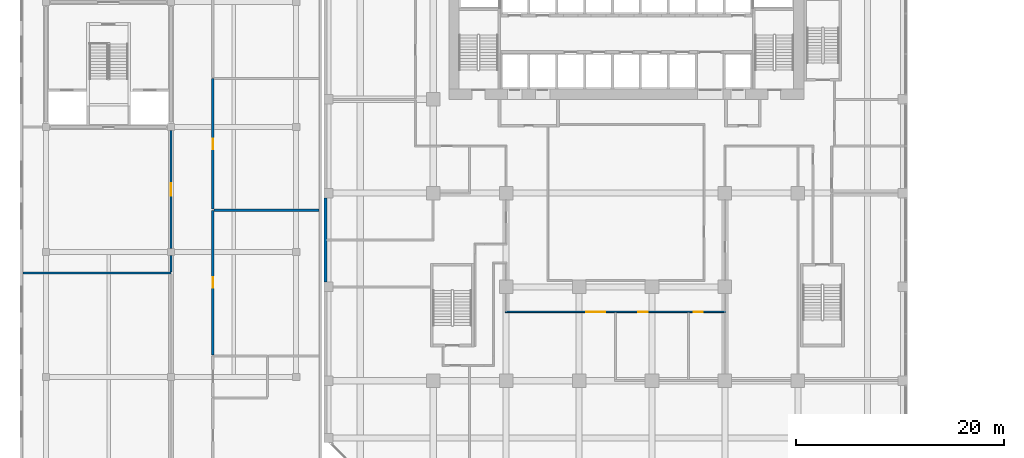
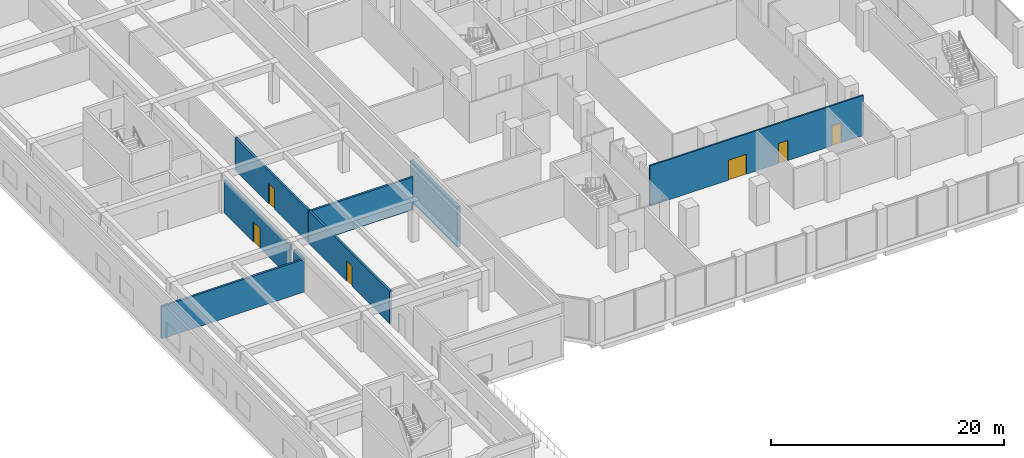
# One storey, part 14 of 35: 8 walls, 6 doors, 6 openings.
"""IFC4 building model written with IfcOpenShell, lengths in metres."""

from ifc_helpers import new_model, si_unit, direction, frame, frame_2d, origin, place, context, subcontext, project, spatial, rectangle, extrude, source, transform, mapped, material, layer, layer_set, type_object, element, fill, save


model = new_model("IFC4")

# Units and contexts
model_context = context("Model", 3, precision=1e-05, world=origin(), true_north=direction((0.0, 1.0)))
body_context = subcontext(model_context, "Body", "Model", "MODEL_VIEW")
ifc_project = project(units=[si_unit("LENGTHUNIT", "METRE"), si_unit("AREAUNIT", "SQUARE_METRE"), si_unit("VOLUMEUNIT", "CUBIC_METRE"), si_unit("PLANEANGLEUNIT", "RADIAN"), si_unit("MASSUNIT", "GRAM", prefix="KILO")], contexts=[model_context])

# Site, building, storey
site_placement = place(None, origin())
site = spatial("IfcSite", under=ifc_project, at=site_placement, CompositionType="ELEMENT")
building_placement = place(site_placement, origin())
building = spatial("IfcBuilding", under=site, at=building_placement, Name="Kilnfold Tower and Market Hall", CompositionType="ELEMENT")
storey_placement = place(building_placement, frame((0.0, 0.0, 22.5)))
storey = spatial("IfcBuildingStorey", under=building, at=storey_placement, Name="L04", CompositionType="ELEMENT", Elevation=22.5)

# Wall, openings, doors
ifc_material_1 = material(Name="Gypsum board on steel studs", Category="steel")
ifc_layer_1 = layer(ifc_material_1, 0.14990234375)
ifc_layer_set_1 = layer_set([ifc_layer_1], Name="Gypsum board on steel studs")
wall_type_1 = type_object("IfcWallType", Name="WALL CORRIDOR 150", PredefinedType="PARTITIONING", material=ifc_layer_set_1)
wall_1_placement = place(storey_placement, frame((-10.574951171875, -12.39990234375, 0.0), z_axis=(0.0, 0.0, 1.0), x_axis=(1.0, 0.0, 0.0)))
wall_1 = element("IfcWall", 1, at=wall_1_placement, inside=storey, type_object=wall_type_1, Name="Partition LY05.9", PredefinedType="PARTITIONING", context=body_context, shape_type="SweptSolid", body=[
    extrude(rectangle(XDim=21.175048828125, YDim=0.14990234375, at=frame_2d((10.58740234375, 0.0))), origin(), (0.0, 0.0, 1.0), 4.219970703125),
])
opening_1_placement = place(wall_1_placement, frame((7.777099609375, 0.0, 0.0)))
opening_1 = element("IfcOpeningElement", 2, at=opening_1_placement, cuts=wall_1, Name="Opening D5", PredefinedType="OPENING", context=body_context, shape_type="SweptSolid", body=[
    extrude(rectangle(XDim=1.800048828125, YDim=2.10009765625, at=frame_2d((0.89990234375, 1.050048828125))), frame((0.0, 0.0849609375, 0.0), z_axis=(0.0, -1.0, 0.0), x_axis=(1.0, 0.0, 0.0)), (0.0, 0.0, 1.0), 0.169921875),
])
opening_2_placement = place(wall_1_placement, frame((12.77197265625, 0.0, 0.0)))
opening_2 = element("IfcOpeningElement", 3, at=opening_2_placement, cuts=wall_1, Name="Opening D2", PredefinedType="OPENING", context=body_context, shape_type="SweptSolid", body=[
    extrude(rectangle(XDim=0.89990234375, YDim=2.10009765625, at=frame_2d((0.449951171875, 1.050048828125))), frame((0.0, 0.0849609375, 0.0), z_axis=(0.0, -1.0, 0.0), x_axis=(1.0, 0.0, 0.0)), (0.0, 0.0, 1.0), 0.169921875),
])
opening_3_placement = place(wall_1_placement, frame((18.06591796875, 0.0, 0.0)))
opening_3 = element("IfcOpeningElement", 4, at=opening_3_placement, cuts=wall_1, Name="Opening D2", PredefinedType="OPENING", context=body_context, shape_type="SweptSolid", body=[
    extrude(rectangle(XDim=0.89990234375, YDim=2.10009765625, at=frame_2d((0.449951171875, 1.050048828125))), frame((0.0, 0.0849609375, 0.0), z_axis=(0.0, -1.0, 0.0), x_axis=(1.0, 0.0, 0.0)), (0.0, 0.0, 1.0), 0.169921875),
])
ifc_material_2 = material(Name="Timber veneer door leaf in steel frame", Category="steel")
door_type_1 = type_object("IfcDoorType", Name="DOOR DOUBLE 1800 X2100", OperationType="NOTDEFINED", PredefinedType="DOOR", material=ifc_material_2)
door_1_placement = place(opening_1_placement, origin())
door_1 = element("IfcDoor", 5, at=door_1_placement, inside=storey, type_object=door_type_1, Name="Door D5", OperationType="DOUBLE_DOOR_SINGLE_SWING", OverallHeight=2.10009765625, OverallWidth=1.800048828125, PredefinedType="DOOR", context=body_context, shape_type="SweptSolid", body=[
    extrude(rectangle(XDim=1.800048828125, YDim=2.10009765625, at=frame_2d((0.89990234375, 1.050048828125))), frame((0.0, 0.02490234375, 0.0), z_axis=(0.0, -1.0, 0.0), x_axis=(1.0, 0.0, 0.0)), (0.0, 0.0, 1.0), 0.050048828125),
])
fill(opening_1, door_1)
ifc_material_3 = material(Name="Timber veneer door leaf in steel frame", Category="steel")
door_type_2 = type_object("IfcDoorType", Name="DOOR ROOM 900 X2100", OperationType="NOTDEFINED", PredefinedType="DOOR", material=ifc_material_3)
door_2_placement = place(opening_2_placement, origin())
door_2 = element("IfcDoor", 6, at=door_2_placement, inside=storey, type_object=door_type_2, Name="Door D2", OperationType="SINGLE_SWING_LEFT", OverallHeight=2.10009765625, OverallWidth=0.89990234375, PredefinedType="DOOR", context=body_context, shape_type="SweptSolid", body=[
    extrude(rectangle(XDim=0.89990234375, YDim=2.10009765625, at=frame_2d((0.449951171875, 1.050048828125))), frame((0.0, 0.02490234375, 0.0), z_axis=(0.0, -1.0, 0.0), x_axis=(1.0, 0.0, 0.0)), (0.0, 0.0, 1.0), 0.050048828125),
])
fill(opening_2, door_2)
door_3_placement = place(opening_3_placement, origin())
door_3 = element("IfcDoor", 7, at=door_3_placement, inside=storey, type_object=door_type_2, Name="Door D2", OperationType="SINGLE_SWING_RIGHT", OverallHeight=2.10009765625, OverallWidth=0.89990234375, PredefinedType="DOOR", context=body_context, shape_type="SweptSolid", body=[
    extrude(rectangle(XDim=0.89990234375, YDim=2.10009765625, at=frame_2d((0.449951171875, 1.050048828125))), frame((0.0, 0.02490234375, 0.0), z_axis=(0.0, -1.0, 0.0), x_axis=(1.0, 0.0, 0.0)), (0.0, 0.0, 1.0), 0.050048828125),
])
fill(opening_3, door_3)

# Walls
ifc_material_4 = material(Name="Precast concrete C50/60", Category="concrete")
ifc_layer_2 = layer(ifc_material_4, 0.300048828125)
ifc_layer_set_2 = layer_set([ifc_layer_2], Name="Precast concrete C50/60")
wall_type_2 = type_object("IfcWallType", Name="PRECAST WALL 300", PredefinedType="SOLIDWALL", material=ifc_layer_set_2)
shared_shape_1 = source(origin(), body_context, "Body", "SweptSolid", [
    extrude(rectangle(XDim=8.10009765625, YDim=0.300048828125, at=frame_2d((4.050048828125, 0.0))), origin(), (0.0, 0.0, 1.0), 4.219970703125),
])
wall_2_placement = place(storey_placement, frame((-27.85009765625, -1.449951171875, 0.0), z_axis=(0.0, 0.0, 1.0), x_axis=(0.0, -1.0, 0.0)))
element("IfcWall", 8, at=wall_2_placement, inside=storey, type_object=wall_type_2, Name="Party wall L04 W", PredefinedType="SOLIDWALL", context=body_context, shape_type="MappedRepresentation", body=[
    mapped(shared_shape_1, transform((0.0, 0.0, 0.0))),
])
ifc_material_5 = material(Name="Concrete blockwork", Category="masonry")
ifc_layer_3 = layer(ifc_material_5, 0.199951171875)
ifc_layer_set_3 = layer_set([ifc_layer_3], Name="Concrete blockwork")
wall_type_3 = type_object("IfcWallType", Name="HALL PARTITION 200 EI 120", PredefinedType="PARTITIONING", material=ifc_layer_set_3)
shared_shape_2 = source(origin(), body_context, "Body", "SweptSolid", [
    extrude(rectangle(XDim=14.2001953125, YDim=0.199951171875, at=frame_2d((7.10009765625, 0.0))), origin(), (0.0, 0.0, 1.0), 3.419921875),
])
wall_3_placement = place(storey_placement, frame((-56.85009765625, -8.64990234375, 0.0), z_axis=(0.0, 0.0, 1.0), x_axis=(1.0, 0.0, 0.0)))
element("IfcWall", 9, at=wall_3_placement, inside=storey, type_object=wall_type_3, Name="Partition W-MH-L04.2", PredefinedType="PARTITIONING", context=body_context, shape_type="MappedRepresentation", body=[
    mapped(shared_shape_2, transform((0.0, 0.0, 0.0))),
])
shared_shape_3 = source(origin(), body_context, "Body", "SweptSolid", [
    extrude(rectangle(XDim=1.550048828125, YDim=0.199951171875, at=frame_2d((0.77490234375, 0.0))), origin(), (0.0, 0.0, 1.0), 3.419921875),
])
wall_4_placement = place(storey_placement, frame((-42.64990234375, -8.550048828125, 0.0), z_axis=(0.0, 0.0, 1.0), x_axis=(0.0, 1.0, 0.0)))
element("IfcWall", 10, at=wall_4_placement, inside=storey, type_object=wall_type_3, Name="Partition W-MH-L04.9", PredefinedType="PARTITIONING", context=body_context, shape_type="MappedRepresentation", body=[
    mapped(shared_shape_3, transform((0.0, 0.0, 0.0))),
])

# Wall, opening, door
shared_shape_4 = source(origin(), body_context, "Body", "SweptSolid", [
    extrude(rectangle(XDim=11.300048828125, YDim=0.199951171875, at=frame_2d((5.64990234375, 0.0))), origin(), (0.0, 0.0, 1.0), 3.419921875),
])
wall_5_placement = place(storey_placement, frame((-42.64990234375, -6.300048828125, 0.0), z_axis=(0.0, 0.0, 1.0), x_axis=(0.0, 1.0, 0.0)))
wall_5 = element("IfcWall", 11, at=wall_5_placement, inside=storey, type_object=wall_type_3, Name="Partition W-MH-L04.10", PredefinedType="PARTITIONING", context=body_context, shape_type="MappedRepresentation", body=[
    mapped(shared_shape_4, transform((0.0, 0.0, 0.0))),
])
opening_4_placement = place(wall_5_placement, frame((5.050048828125, 0.0, 0.0)))
opening_4 = element("IfcOpeningElement", 12, at=opening_4_placement, cuts=wall_5, Name="Opening MD3-120", PredefinedType="OPENING", context=body_context, shape_type="SweptSolid", body=[
    extrude(rectangle(XDim=1.199951171875, YDim=2.10009765625, at=frame_2d((0.60009765625, 1.050048828125))), frame((0.0, 0.10986328125, 0.0), z_axis=(0.0, -1.0, 0.0), x_axis=(1.0, 0.0, 0.0)), (0.0, 0.0, 1.0), 0.219970703125),
])
ifc_material_6 = material(Name="Steel S355", Category="steel")
door_type_3 = type_object("IfcDoorType", Name="HALL DOOR SERVICE 1200X2100 FD120", OperationType="NOTDEFINED", PredefinedType="DOOR", material=ifc_material_6)
door_4_placement = place(opening_4_placement, origin())
door_4 = element("IfcDoor", 13, at=door_4_placement, inside=storey, type_object=door_type_3, Name="Door MD3-120", OperationType="SINGLE_SWING_LEFT", OverallHeight=2.10009765625, OverallWidth=1.199951171875, PredefinedType="DOOR", context=body_context, shape_type="SweptSolid", body=[
    extrude(rectangle(XDim=1.199951171875, YDim=2.10009765625, at=frame_2d((0.60009765625, 1.050048828125))), frame((0.0, 0.02490234375, 0.0), z_axis=(0.0, -1.0, 0.0), x_axis=(1.0, 0.0, 0.0)), (0.0, 0.0, 1.0), 0.050048828125),
])
fill(opening_4, door_4)

ifc_material_7 = material(Name="Concrete blockwork", Category="masonry")
ifc_layer_4 = layer(ifc_material_7, 0.199951171875)
ifc_layer_set_4 = layer_set([ifc_layer_4], Name="Concrete blockwork")
wall_type_4 = type_object("IfcWallType", Name="HALL PARTITION 200 EI 60", PredefinedType="PARTITIONING", material=ifc_layer_set_4)
shared_shape_5 = source(origin(), body_context, "Body", "SweptSolid", [
    extrude(rectangle(XDim=13.900146484375, YDim=0.199951171875, at=frame_2d((6.9501953125, 0.0))), origin(), (0.0, 0.0, 1.0), 3.419921875),
])
wall_6_placement = place(storey_placement, frame((-38.64990234375, -2.64990234375, 0.0), z_axis=(0.0, 0.0, 1.0), x_axis=(0.0, -1.0, 0.0)))
wall_6 = element("IfcWall", 14, at=wall_6_placement, inside=storey, type_object=wall_type_4, Name="Partition W-MH-L04.21", PredefinedType="PARTITIONING", context=body_context, shape_type="MappedRepresentation", body=[
    mapped(shared_shape_5, transform((0.0, 0.0, 0.0))),
])
opening_5_placement = place(wall_6_placement, frame((6.449951171875, 0.0, 0.0)))
opening_5 = element("IfcOpeningElement", 15, at=opening_5_placement, cuts=wall_6, Name="Opening MD5-60", PredefinedType="OPENING", context=body_context, shape_type="SweptSolid", body=[
    extrude(rectangle(XDim=1.0, YDim=2.10009765625, at=frame_2d((0.5, 1.050048828125))), frame((0.0, 0.10986328125, 0.0), z_axis=(0.0, -1.0, 0.0), x_axis=(1.0, 0.0, 0.0)), (0.0, 0.0, 1.0), 0.219970703125),
])
ifc_material_8 = material(Name="Timber", Category="wood")
door_type_4 = type_object("IfcDoorType", Name="HALL DOOR OFFICE 1000X2100 FD60", OperationType="NOTDEFINED", PredefinedType="DOOR", material=ifc_material_8)
door_5_placement = place(opening_5_placement, origin())
door_5 = element("IfcDoor", 16, at=door_5_placement, inside=storey, type_object=door_type_4, Name="Door MD5-60", OperationType="SINGLE_SWING_RIGHT", OverallHeight=2.10009765625, OverallWidth=1.0, PredefinedType="DOOR", context=body_context, shape_type="SweptSolid", body=[
    extrude(rectangle(XDim=1.0, YDim=2.10009765625, at=frame_2d((0.5, 1.050048828125))), frame((0.0, 0.02490234375, 0.0), z_axis=(0.0, -1.0, 0.0), x_axis=(1.0, 0.0, 0.0)), (0.0, 0.0, 1.0), 0.050048828125),
])
fill(opening_5, door_5)

# Wall
shared_shape_6 = source(origin(), body_context, "Body", "SweptSolid", [
    extrude(rectangle(XDim=10.10009765625, YDim=0.199951171875, at=frame_2d((5.050048828125, 0.0))), origin(), (0.0, 0.0, 1.0), 3.419921875),
])
wall_7_placement = place(storey_placement, frame((-38.550048828125, -2.64990234375, 0.0), z_axis=(0.0, 0.0, 1.0), x_axis=(1.0, 0.0, 0.0)))
element("IfcWall", 17, at=wall_7_placement, inside=storey, type_object=wall_type_4, Name="Partition W-MH-L04.22", PredefinedType="PARTITIONING", context=body_context, shape_type="MappedRepresentation", body=[
    mapped(shared_shape_6, transform((0.0, 0.0, 0.0))),
])

# Wall, opening, door
shared_shape_7 = source(origin(), body_context, "Body", "SweptSolid", [
    extrude(rectangle(XDim=12.550048828125, YDim=0.199951171875, at=frame_2d((6.27490234375, 0.0))), origin(), (0.0, 0.0, 1.0), 3.419921875),
])
wall_8_placement = place(storey_placement, frame((-38.64990234375, 10.0, 0.0), z_axis=(0.0, 0.0, 1.0), x_axis=(0.0, -1.0, 0.0)))
wall_8 = element("IfcWall", 18, at=wall_8_placement, inside=storey, type_object=wall_type_4, Name="Partition W-MH-L04.23", PredefinedType="PARTITIONING", context=body_context, shape_type="MappedRepresentation", body=[
    mapped(shared_shape_7, transform((0.0, 0.0, 0.0))),
])
opening_6_placement = place(wall_8_placement, frame((5.77490234375, 0.0, 0.0)))
opening_6 = element("IfcOpeningElement", 19, at=opening_6_placement, cuts=wall_8, Name="Opening MD5-60", PredefinedType="OPENING", context=body_context, shape_type="SweptSolid", body=[
    extrude(rectangle(XDim=1.0, YDim=2.10009765625, at=frame_2d((0.5, 1.050048828125))), frame((0.0, 0.10986328125, 0.0), z_axis=(0.0, -1.0, 0.0), x_axis=(1.0, 0.0, 0.0)), (0.0, 0.0, 1.0), 0.219970703125),
])
door_6_placement = place(opening_6_placement, origin())
door_6 = element("IfcDoor", 20, at=door_6_placement, inside=storey, type_object=door_type_4, Name="Door MD5-60", OperationType="SINGLE_SWING_LEFT", OverallHeight=2.10009765625, OverallWidth=1.0, PredefinedType="DOOR", context=body_context, shape_type="SweptSolid", body=[
    extrude(rectangle(XDim=1.0, YDim=2.10009765625, at=frame_2d((0.5, 1.050048828125))), frame((0.0, 0.02490234375, 0.0), z_axis=(0.0, -1.0, 0.0), x_axis=(1.0, 0.0, 0.0)), (0.0, 0.0, 1.0), 0.050048828125),
])
fill(opening_6, door_6)

save(model, "model.ifc")
